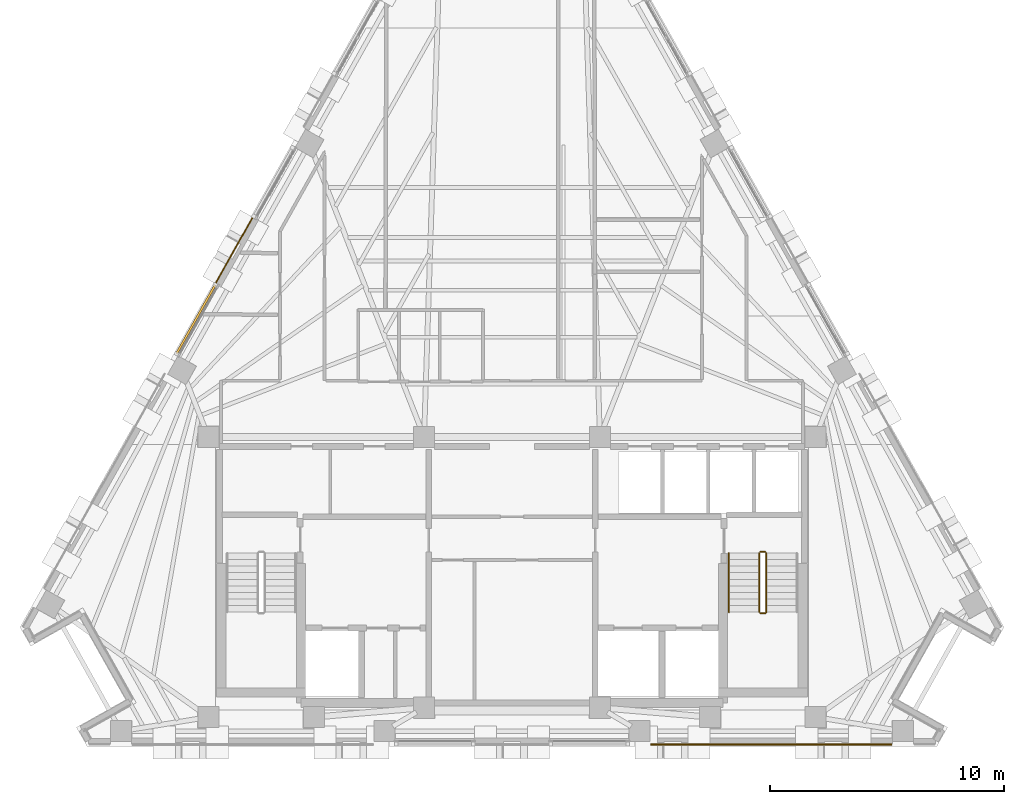
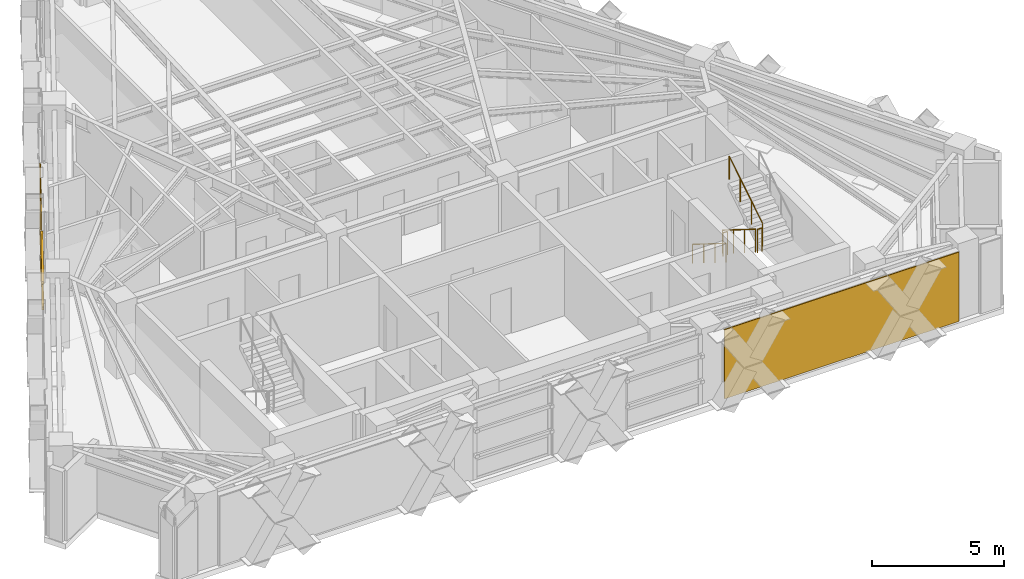
# One storey, part 11 of 12: 5 railings, 2 coverings, 2 shading devices.
"""IFC4 building model written with IfcOpenShell, lengths in metres."""

from ifc_helpers import new_model, si_unit, direction, frame, origin, origin_2d, place, context, subcontext, project, spatial, polyline, rectangle, circle, outline, extrude, material, layer, layer_set, material_profile, profile_set, type_object, element, save


model = new_model("IFC4")

# Units and contexts
model_context = context("Model", 3, precision=1e-05, world=origin(), true_north=direction((0.0, 1.0)))
body_context = subcontext(model_context, "Body", "Model", "MODEL_VIEW")
ifc_project = project(units=[si_unit("LENGTHUNIT", "METRE"), si_unit("AREAUNIT", "SQUARE_METRE"), si_unit("VOLUMEUNIT", "CUBIC_METRE"), si_unit("PLANEANGLEUNIT", "RADIAN"), si_unit("MASSUNIT", "GRAM", prefix="KILO")], contexts=[model_context])

# Site, building, storey
site_placement = place(None, origin())
site = spatial("IfcSite", under=ifc_project, at=site_placement, CompositionType="ELEMENT")
building_placement = place(site_placement, origin())
building = spatial("IfcBuilding", under=site, at=building_placement, Name="Quenlor Broadcast Tower", CompositionType="ELEMENT")
storey_placement = place(building_placement, frame((0.0, 0.0, 193.89990234375)))
storey = spatial("IfcBuildingStorey", under=building, at=storey_placement, Name="L53", CompositionType="ELEMENT", Elevation=193.89990234375)

# Shading devices
ifc_material_1 = material(Name="Architectural Terracotta Ceramic", Category="masonry")
ifc_material_profile = material_profile(ifc_material_1, rectangle(XDim=0.090087890625, YDim=0.139892578125, at=origin_2d()))
ifc_profile_set = profile_set([ifc_material_profile], Name="Architectural Terracotta Ceramic BAG90x140")
shading_device_type = type_object("IfcShadingDeviceType", Name="Copper Terracotta Baguette Solar Screen 140", PredefinedType="USERDEFINED", material=ifc_profile_set)
for number, where, z_axis, x_axis, name in (
    (1, (-14.307861328125, -1.244384765625, 1.170166015625), (0.490195776457, 0.871612356925, 0.0), (-0.871612356925, 0.490195776457, 0.0), "L53 Terracotta Baguette Screen 1"),
    (2, (-14.307861328125, -1.244384765625, 2.340087890625), (0.490195776457, 0.871612356925, 0.0), (-0.871612356925, 0.490195776457, 0.0), "L53 Terracotta Baguette Screen 2"),
):
    element("IfcShadingDevice", number, at=place(storey_placement, frame(where, z_axis=z_axis, x_axis=x_axis)), inside=storey, type_object=shading_device_type, Name=name, ObjectType="BAGUETTE", PredefinedType="USERDEFINED", context=body_context, shape_type="SweptSolid", body=[
        extrude(rectangle(XDim=0.090087890625, YDim=0.139892578125, at=origin_2d()), origin(), (0.0, 0.0, 1.0), 3.3642578125),
    ])

# Coverings
ifc_material_2 = material(Name="Architectural Terracotta Ceramic", Category="masonry")
ifc_layer = layer(ifc_material_2, 0.044921875)
ifc_layer_set = layer_set([ifc_layer], Name="Fluted Terracotta Rainscreen Cladding Panel")
covering_type = type_object("IfcCoveringType", Name="Fluted Terracotta Rainscreen Cladding Panel", PredefinedType="CLADDING", material=ifc_layer_set)
covering_1_placement = place(storey_placement, frame((0.0, 0.0, 0.02001953125)))
element("IfcCovering", 3, at=covering_1_placement, inside=storey, type_object=covering_type, Name="L53 Terracotta Rainscreen Cladding L53-EW-SA", PredefinedType="CLADDING", context=body_context, shape_type="SweptSolid", body=[
    extrude(outline(polyline([(16.19091796875, -17.89697265625), (5.9228515625, -17.89697265625), (5.9228515625, -17.94189453125), (16.19091796875, -17.94189453125), (16.19091796875, -17.89697265625)])), origin(), (0.0, 0.0, 1.0), 3.2099609375),
])
covering_2_placement = place(storey_placement, frame((0.0, 0.0, 0.02001953125)))
element("IfcCovering", 4, at=covering_2_placement, inside=storey, type_object=covering_type, Name="L53 Terracotta Rainscreen Cladding L53-NW-SP1", PredefinedType="CLADDING", context=body_context, shape_type="SweptSolid", body=[
    extrude(outline(polyline([(-12.626220703125, 1.7431640625), (-11.044189453125, 4.555908203125), (-11.08349609375, 4.577880859375), (-12.66552734375, 1.76513671875), (-12.626220703125, 1.7431640625)])), origin(), (0.0, 0.0, 1.0), 3.2099609375),
])

# Railings
ifc_material_3 = material(Name="Anodised Aluminium", Category="aluminium")
railing_type_1 = type_object("IfcRailingType", Name="Stainless Aluminium Wall Handrail 900", PredefinedType="HANDRAIL", material=ifc_material_3)
railing_1_placement = place(storey_placement, frame((9.25, -9.75, 0.175048828125)))
element("IfcRailing", 5, at=railing_1_placement, inside=storey, type_object=railing_type_1, Name="L53 ST-2 stair handrail 1", PredefinedType="HANDRAIL", context=body_context, shape_type="SweptSolid", body=[
    extrude(circle(Radius=0.02392578125, at=origin_2d()), frame((0.0, 0.0, 0.8759765625), z_axis=(0.0, -0.848007534815, 0.529984170421), x_axis=(1.0, 0.0, 0.0)), (0.0, 0.0, 1.0), 2.9716796875),
    extrude(circle(Radius=0.02099609375, at=origin_2d()), origin(), (0.0, 0.0, 1.0), 0.851806640625),
    extrude(circle(Radius=0.02099609375, at=origin_2d()), frame((0.0, -0.840087890625, 0.52490234375)), (0.0, 0.0, 1.0), 0.851806640625),
    extrude(circle(Radius=0.02099609375, at=origin_2d()), frame((0.0, -1.679931640625, 1.050048828125)), (0.0, 0.0, 1.0), 0.851806640625),
    extrude(circle(Radius=0.02099609375, at=origin_2d()), frame((0.0, -2.52001953125, 1.574951171875)), (0.0, 0.0, 1.0), 0.851806640625),
])
ifc_material_4 = material(Name="Steel S355", Category="steel")
railing_type_2 = type_object("IfcRailingType", Name="Tubular Steel S355 Stair Guardrail 1100", PredefinedType="BALUSTRADE", material=ifc_material_4)
railing_2_placement = place(storey_placement, frame((10.550048828125, -9.75, 0.175048828125)))
element("IfcRailing", 6, at=railing_2_placement, inside=storey, type_object=railing_type_2, Name="L53 ST-2 stair guard 1", PredefinedType="BALUSTRADE", context=body_context, shape_type="SweptSolid", body=[
    extrude(circle(Radius=0.02392578125, at=origin_2d()), frame((0.0, 0.0, 1.076171875), z_axis=(0.0, -0.848007534815, 0.529984170421), x_axis=(1.0, 0.0, 0.0)), (0.0, 0.0, 1.0), 2.9716796875),
    extrude(circle(Radius=0.02099609375, at=origin_2d()), origin(), (0.0, 0.0, 1.0), 1.052001953125),
    extrude(circle(Radius=0.02099609375, at=origin_2d()), frame((0.0, -0.840087890625, 0.52490234375)), (0.0, 0.0, 1.0), 1.052001953125),
    extrude(circle(Radius=0.02099609375, at=origin_2d()), frame((0.0, -1.679931640625, 1.050048828125)), (0.0, 0.0, 1.0), 1.052001953125),
    extrude(circle(Radius=0.02099609375, at=origin_2d()), frame((0.0, -2.52001953125, 1.574951171875)), (0.0, 0.0, 1.0), 1.052001953125),
])
railing_3_placement = place(storey_placement, frame((10.60009765625, -12.320068359375, 1.75)))
element("IfcRailing", 7, at=railing_3_placement, inside=storey, type_object=railing_type_2, Name="L53 ST-2 stair guard 2", PredefinedType="BALUSTRADE", context=body_context, shape_type="SweptSolid", body=[
    extrude(circle(Radius=0.02392578125, at=origin_2d()), frame((0.0, 0.0, 1.076171875), z_axis=(1.0, 0.0, 0.0), x_axis=(0.0, 1.0, 0.0)), (0.0, 0.0, 1.0), 0.199951171875),
    extrude(circle(Radius=0.02099609375, at=origin_2d()), origin(), (0.0, 0.0, 1.0), 1.052001953125),
    extrude(circle(Radius=0.02099609375, at=origin_2d()), frame((0.199951171875, 0.0, 0.0)), (0.0, 0.0, 1.0), 1.052001953125),
])
railing_4_placement = place(storey_placement, frame((10.85009765625, -12.27001953125, 1.925048828125)))
element("IfcRailing", 8, at=railing_4_placement, inside=storey, type_object=railing_type_2, Name="L53 ST-2 stair guard 3", PredefinedType="BALUSTRADE", context=body_context, shape_type="SweptSolid", body=[
    extrude(circle(Radius=0.02392578125, at=origin_2d()), frame((0.0, 0.0, 1.076171875), z_axis=(0.0, 0.848007534815, 0.529984170421), x_axis=(-1.0, 0.0, 0.0)), (0.0, 0.0, 1.0), 2.9716796875),
    extrude(circle(Radius=0.02099609375, at=origin_2d()), origin(), (0.0, 0.0, 1.0), 1.052001953125),
    extrude(circle(Radius=0.02099609375, at=origin_2d()), frame((0.0, 0.840087890625, 0.52490234375)), (0.0, 0.0, 1.0), 1.052001953125),
    extrude(circle(Radius=0.02099609375, at=origin_2d()), frame((0.0, 1.679931640625, 1.050048828125)), (0.0, 0.0, 1.0), 1.052001953125),
    extrude(circle(Radius=0.02099609375, at=origin_2d()), frame((0.0, 2.52001953125, 1.574951171875)), (0.0, 0.0, 1.0), 1.052001953125),
])
railing_5_placement = place(storey_placement, frame((10.60009765625, -9.699951171875, 0.0)))
element("IfcRailing", 9, at=railing_5_placement, inside=storey, type_object=railing_type_2, Name="L53 ST-2 stair guard 4", PredefinedType="BALUSTRADE", context=body_context, shape_type="SweptSolid", body=[
    extrude(circle(Radius=0.02392578125, at=origin_2d()), frame((0.0, 0.0, 1.076171875), z_axis=(1.0, 0.0, 0.0), x_axis=(0.0, 1.0, 0.0)), (0.0, 0.0, 1.0), 0.199951171875),
    extrude(circle(Radius=0.02099609375, at=origin_2d()), origin(), (0.0, 0.0, 1.0), 1.052001953125),
    extrude(circle(Radius=0.02099609375, at=origin_2d()), frame((0.199951171875, 0.0, 0.0)), (0.0, 0.0, 1.0), 1.052001953125),
])

save(model, "model.ifc")
